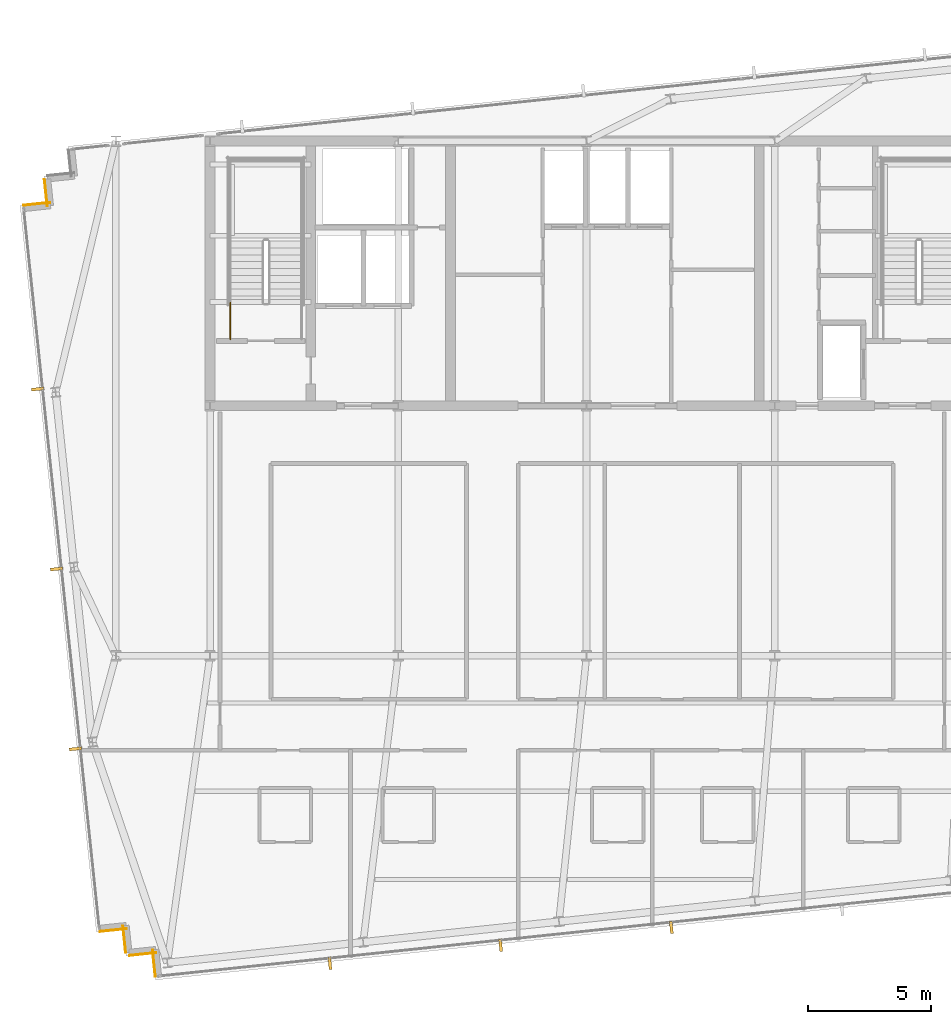
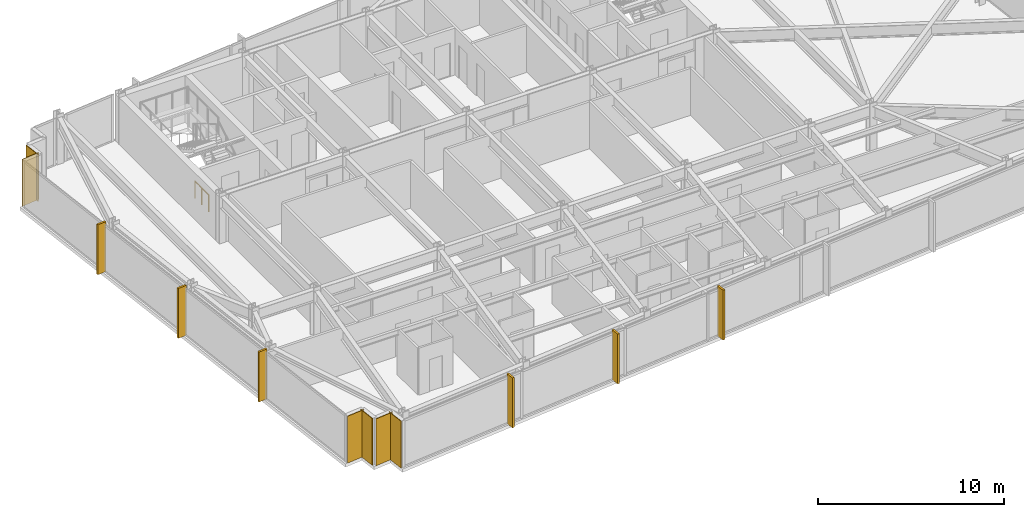
# One storey, part 30 of 33: 6 coverings, 6 shading devices, 1 railing.
"""IFC4 building model written with IfcOpenShell, lengths in metres."""

from ifc_helpers import new_model, si_unit, direction, frame, frame_2d, origin, origin_2d, place, context, subcontext, project, spatial, rectangle, circle, extrude, material, layer, layer_set, type_object, element, save


model = new_model("IFC4")

# Units and contexts
model_context = context("Model", 3, precision=1e-05, world=origin(), true_north=direction((0.0, 1.0)))
body_context = subcontext(model_context, "Body", "Model", "MODEL_VIEW")
ifc_project = project(units=[si_unit("LENGTHUNIT", "METRE"), si_unit("AREAUNIT", "SQUARE_METRE"), si_unit("VOLUMEUNIT", "CUBIC_METRE"), si_unit("PLANEANGLEUNIT", "RADIAN"), si_unit("MASSUNIT", "GRAM", prefix="KILO")], contexts=[model_context])

# Site, building, storey
site_placement = place(None, origin())
site = spatial("IfcSite", under=ifc_project, at=site_placement, CompositionType="ELEMENT")
building_placement = place(site_placement, origin())
building = spatial("IfcBuilding", under=site, at=building_placement, Name="Yelkora Congress Tower", CompositionType="ELEMENT")
storey_placement = place(building_placement, frame((0.0, 0.0, 230.89990234375)))
storey = spatial("IfcBuildingStorey", under=building, at=storey_placement, Name="L64", CompositionType="ELEMENT", Elevation=230.89990234375)

# Coverings
ifc_material_1 = material(Name="Anatolian bush-hammered limestone", Category="masonry")
ifc_layer_1 = layer(ifc_material_1, 0.0400390625)
ifc_layer_set_1 = layer_set([ifc_layer_1], Name="Anatolian bush-hammered limestone")
covering_type = type_object("IfcCoveringType", Name="COV-CLAD-SPANDREL-40", PredefinedType="CLADDING", material=ifc_layer_set_1)
covering_1_placement = place(storey_placement, frame((20.810302734375, 12.114501953125, 0.0), z_axis=(0.0, 0.0, 1.0), x_axis=(-0.104557671117, 0.994518825066, 0.0)))
element("IfcCovering", 1, at=covering_1_placement, inside=storey, type_object=covering_type, Name="L64 Anatolian Limestone Cladding EW-L64-SR01", PredefinedType="CLADDING", context=body_context, shape_type="SweptSolid", body=[
    extrude(rectangle(XDim=1.099853515625, YDim=0.0400390625, at=frame_2d((0.5498046875, 0.0))), origin(), (0.0, 0.0, 1.0), 3.080078125),
])
for number, where, z_axis, x_axis, name in (
    (2, (20.84375, 13.088134765625, 0.0), (0.0, 0.0, 1.0), (-0.994521251134, -0.104534592565, 0.0), "L64 Anatolian Limestone Cladding EW-L64-SR02"),
    (3, (19.601318359375, 13.09326171875, 0.0), (0.0, 0.0, 1.0), (-0.104534592565, 0.994521251134, 0.0), "L64 Anatolian Limestone Cladding EW-L64-SR03"),
    (4, (19.634765625, 14.067138671875, 0.0), (0.0, 0.0, 1.0), (-0.994521251134, -0.104534592565, 0.0), "L64 Anatolian Limestone Cladding EW-L64-SR04"),
):
    element("IfcCovering", number, at=place(storey_placement, frame(where, z_axis=z_axis, x_axis=x_axis)), inside=storey, type_object=covering_type, Name=name, PredefinedType="CLADDING", context=body_context, shape_type="SweptSolid", body=[
        extrude(rectangle(XDim=1.10009765625, YDim=0.0400390625, at=frame_2d((0.550048828125, 0.0))), origin(), (0.0, 0.0, 1.0), 3.080078125),
    ])
covering_2_placement = place(storey_placement, frame((15.427001953125, 43.5791015625, 0.0), z_axis=(0.0, 0.0, 1.0), x_axis=(0.994518825066, 0.104557671117, 0.0)))
element("IfcCovering", 5, at=covering_2_placement, inside=storey, type_object=covering_type, Name="L64 Anatolian Limestone Cladding EW-L64-SR06", PredefinedType="CLADDING", context=body_context, shape_type="SweptSolid", body=[
    extrude(rectangle(XDim=1.099853515625, YDim=0.0400390625, at=frame_2d((0.5498046875, 0.0))), origin(), (0.0, 0.0, 1.0), 3.080078125),
])
covering_3_placement = place(storey_placement, frame((16.400634765625, 43.545654296875, 0.0), z_axis=(0.0, 0.0, 1.0), x_axis=(-0.104315068386, 0.994544300928, 0.0)))
element("IfcCovering", 6, at=covering_3_placement, inside=storey, type_object=covering_type, Name="L64 Anatolian Limestone Cladding EW-L64-SR07", PredefinedType="CLADDING", context=body_context, shape_type="SweptSolid", body=[
    extrude(rectangle(XDim=1.10009765625, YDim=0.0400390625, at=frame_2d((0.550048828125, 0.0))), origin(), (0.0, 0.0, 1.0), 3.080078125),
])

# Railing
ifc_material_2 = material(Name="Painted galvanised steel stair well guard with vertical infill", Category="steel")
ifc_layer_2 = layer(ifc_material_2, 0.06005859375)
ifc_layer_set_2 = layer_set([ifc_layer_2], Name="Painted galvanised steel stair well guard with vertical infill")
railing_type = type_object("IfcRailingType", Name="RAIL-STAIR-GUARD-1120", PredefinedType="GUARDRAIL", material=ifc_layer_set_2)
railing_placement = place(storey_placement, frame((23.8701171875, 38.1201171875, 0.0)))
element("IfcRailing", 7, at=railing_placement, inside=storey, type_object=railing_type, Name="ST-01 L64 Stair Well Guardrail 9", PredefinedType="GUARDRAIL", context=body_context, shape_type="SweptSolid", body=[
    extrude(circle(Radius=0.02392578125, at=origin_2d()), frame((0.0, 0.0, 1.09619140625), z_axis=(0.0, 1.0, 0.0), x_axis=(-1.0, 0.0, 0.0)), (0.0, 0.0, 1.0), 1.47998046875),
    extrude(circle(Radius=0.02099609375, at=origin_2d()), origin(), (0.0, 0.0, 1.0), 1.072021484375),
    extrude(circle(Radius=0.02099609375, at=origin_2d()), frame((0.0, 0.739990234375, 0.0)), (0.0, 0.0, 1.0), 1.072021484375),
    extrude(circle(Radius=0.02099609375, at=origin_2d()), frame((0.0, 1.47998046875, 0.0)), (0.0, 0.0, 1.0), 1.072021484375),
])

# Shading devices
ifc_material_3 = material(Name="Champagne anodised aluminium", Category="aluminium")
ifc_layer_3 = layer(ifc_material_3, 3.300048828125)
ifc_layer_set_3 = layer_set([ifc_layer_3], Name="Champagne anodised aluminium")
shading_device_type = type_object("IfcShadingDeviceType", Name="SHD-FIN-ALU-520", PredefinedType="USERDEFINED", material=ifc_layer_set_3)
for number, where, z_axis, x_axis, name in (
    (8, (17.556396484375, 21.405029296875, -0.02978515625), (0.0, 0.0, 1.0), (-0.104528463268, 0.994521895368, 0.0), "L64 Vertical Anodised Solar Fin 5-1"),
    (9, (16.784912109375, 28.74462890625, -0.02978515625), (0.0, 0.0, 1.0), (-0.104528463268, 0.994521895368, 0.0), "L64 Vertical Anodised Solar Fin 5-2"),
    (10, (16.013671875, 36.084228515625, -0.02978515625), (0.0, 0.0, 1.0), (-0.104528463268, 0.994521895368, 0.0), "L64 Vertical Anodised Solar Fin 5-3"),
    (11, (41.85888671875, 14.12548828125, -0.02978515625), (0.0, 0.0, 1.0), (-0.994521895368, -0.104528463268, 0.0), "L64 Vertical Anodised Solar Fin 20-4"),
    (12, (34.89453125, 13.3935546875, -0.02978515625), (0.0, 0.0, 1.0), (-0.994521895368, -0.104528463268, 0.0), "L64 Vertical Anodised Solar Fin 20-5"),
    (13, (27.929931640625, 12.66162109375, -0.02978515625), (0.0, 0.0, 1.0), (-0.994521895368, -0.104528463268, 0.0), "L64 Vertical Anodised Solar Fin 20-6"),
):
    element("IfcShadingDevice", number, at=place(storey_placement, frame(where, z_axis=z_axis, x_axis=x_axis)), inside=storey, type_object=shading_device_type, Name=name, ObjectType="FIN", PredefinedType="USERDEFINED", context=body_context, shape_type="SweptSolid", body=[
        extrude(rectangle(XDim=0.1201171875, YDim=0.52001953125, at=origin_2d()), origin(), (0.0, 0.0, 1.0), 3.280029296875),
    ])

save(model, "model.ifc")
